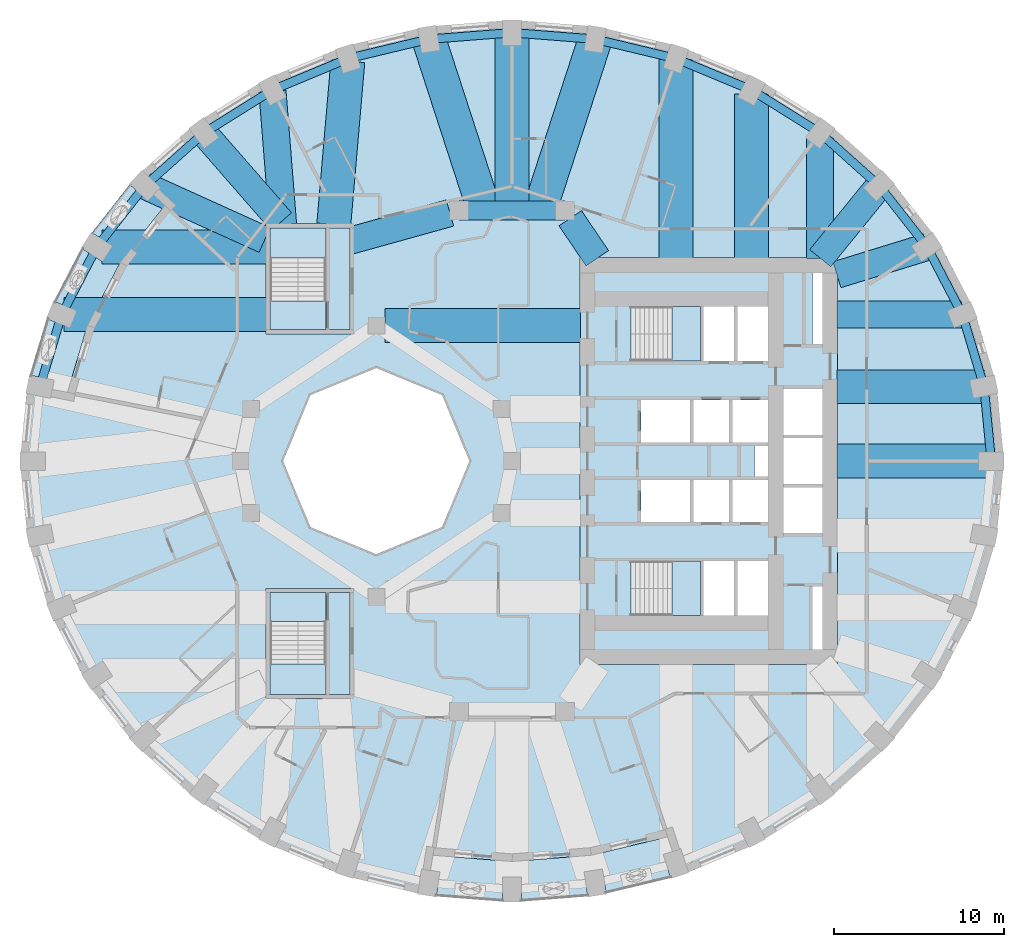
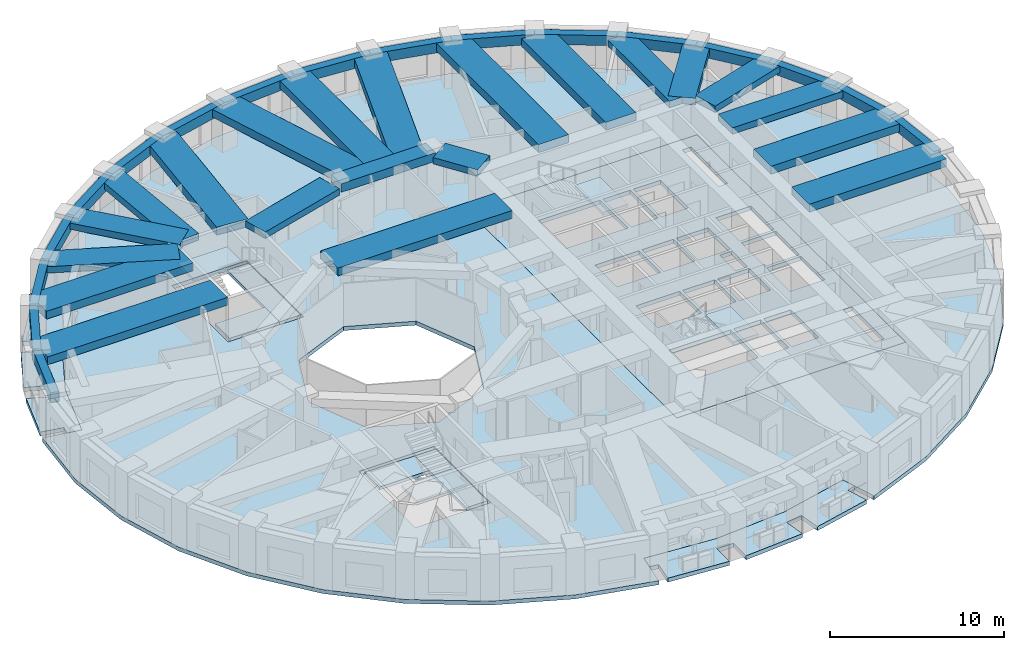
# One storey, part 2 of 13: 38 beams, 12 slabs, 4 elements without a shape of their own.
"""IFC4 building model written with IfcOpenShell, lengths in metres."""

from ifc_helpers import new_model, si_unit, direction, frame, origin, origin_2d, place, context, subcontext, project, spatial, polyline, rectangle, outline, extrude, material, layer, layer_set, material_profile, profile_set, type_object, element, aggregate, save


model = new_model("IFC4")

# Units and contexts
model_context = context("Model", 3, precision=1e-05, world=origin(), true_north=direction((0.0, 1.0)))
body_context = subcontext(model_context, "Body", "Model", "MODEL_VIEW")
ifc_project = project(units=[si_unit("LENGTHUNIT", "METRE"), si_unit("AREAUNIT", "SQUARE_METRE"), si_unit("VOLUMEUNIT", "CUBIC_METRE"), si_unit("PLANEANGLEUNIT", "RADIAN"), si_unit("MASSUNIT", "GRAM", prefix="KILO")], contexts=[model_context])

# Site, building, storey
site_placement = place(None, origin())
site = spatial("IfcSite", under=ifc_project, at=site_placement, CompositionType="ELEMENT")
building_placement = place(site_placement, origin())
building = spatial("IfcBuilding", under=site, at=building_placement, Name="Taillehof Tower", CompositionType="ELEMENT")
storey_placement = place(building_placement, frame((0.0, 0.0, 77.800048828125)))
storey = spatial("IfcBuildingStorey", under=building, at=storey_placement, Name="L21", CompositionType="ELEMENT", Elevation=77.800048828125)

# Beams
ifc_material_1 = material(Name="Concrete C50/60", Category="concrete")
ifc_material_profile_1 = material_profile(ifc_material_1, rectangle(XDim=1.10009765625, YDim=0.60009765625, at=origin_2d()), Name="RC 1100x600")
ifc_profile_set_1 = profile_set([ifc_material_profile_1], Name="Concrete C50/60")
beam_type_1 = type_object("IfcBeamType", Name="Mid-ring beam C50/60 1100x600", PredefinedType="BEAM", material=ifc_profile_set_1)
beam_1_placement = place(storey_placement, frame((3.125732421875, 14.772216796875, 2.719970703125), z_axis=(-1.0, 0.0, 0.0), x_axis=(0.0, -1.0, 0.0)))
element("IfcBeam", 1, at=beam_1_placement, inside=storey, type_object=beam_type_1, Name="Mid-ring beam MB01", PredefinedType="BEAM", context=body_context, shape_type="SweptSolid", body=[
    extrude(rectangle(XDim=1.10009765625, YDim=0.60009765625, at=origin_2d()), origin(), (0.0, 0.0, 1.0), 6.25146484375),
])
ifc_material_2 = material(Name="Concrete C50/60", Category="concrete")
ifc_material_profile_2 = material_profile(ifc_material_2, rectangle(XDim=1.60009765625, YDim=0.449951171875, at=origin_2d()), Name="RC 1600x450")
ifc_profile_set_2 = profile_set([ifc_material_profile_2], Name="Concrete C50/60")
beam_type_2 = type_object("IfcBeamType", Name="Radial band beam C50/60 1600x450", PredefinedType="BEAM", material=ifc_profile_set_2)
beam_2_placement = place(storey_placement, frame((26.490478515625, 8.635986328125, 2.794921875), z_axis=(-1.0, 0.0, 0.0), x_axis=(0.0, -1.0, 0.0)))
element("IfcBeam", 2, at=beam_2_placement, inside=storey, type_object=beam_type_2, Name="Radial band beam RB03", PredefinedType="BEAM", context=body_context, shape_type="SweptSolid", body=[
    extrude(rectangle(XDim=1.60009765625, YDim=0.449951171875, at=origin_2d()), origin(), (0.0, 0.0, 1.0), 7.340576171875),
])
beam_3_placement = place(storey_placement, frame((24.46533203125, 12.625, 2.794921875), z_axis=(-0.955535654338, -0.294875589511, 0.0), x_axis=(0.294875589511, -0.955535654338, 0.0)))
element("IfcBeam", 3, at=beam_3_placement, inside=storey, type_object=beam_type_2, Name="Radial band beam RB04", PredefinedType="BEAM", context=body_context, shape_type="SweptSolid", body=[
    extrude(rectangle(XDim=1.60009765625, YDim=0.449951171875, at=origin_2d()), origin(), (0.0, 0.0, 1.0), 5.560546875),
])
beam_4_placement = place(storey_placement, frame((21.640869140625, 16.23046875, 2.794921875), z_axis=(-0.630988373846, -0.775792286679, 0.0), x_axis=(0.775792286679, -0.630988373846, 0.0)))
element("IfcBeam", 4, at=beam_4_placement, inside=storey, type_object=beam_type_2, Name="Radial band beam RB05", PredefinedType="BEAM", context=body_context, shape_type="SweptSolid", body=[
    extrude(rectangle(XDim=1.60009765625, YDim=0.449951171875, at=origin_2d()), origin(), (0.0, 0.0, 1.0), 5.503173828125),
])
beam_5_placement = place(storey_placement, frame((18.15869140625, 19.05517578125, 2.794921875), z_axis=(0.0, -1.0, 0.0), x_axis=(1.0, 0.0, 0.0)))
element("IfcBeam", 5, at=beam_5_placement, inside=storey, type_object=beam_type_2, Name="Radial band beam RB06", PredefinedType="BEAM", context=body_context, shape_type="SweptSolid", body=[
    extrude(rectangle(XDim=1.60009765625, YDim=0.449951171875, at=origin_2d()), origin(), (0.0, 0.0, 1.0), 7.105224609375),
])
beam_6_placement = place(storey_placement, frame((-14.119873046875, 21.802978515625, 2.794921875), z_axis=(0.079184740988, -0.996859958467, 0.0), x_axis=(0.996859958467, 0.079184740988, 0.0)))
element("IfcBeam", 6, at=beam_6_placement, inside=storey, type_object=beam_type_2, Name="Radial band beam RB13", PredefinedType="BEAM", context=body_context, shape_type="SweptSolid", body=[
    extrude(rectangle(XDim=1.60009765625, YDim=0.449951171875, at=origin_2d()), origin(), (0.0, 0.0, 1.0), 7.87744140625),
])
beam_7_placement = place(storey_placement, frame((-18.15869140625, 19.342529296875, 2.794921875), z_axis=(0.65721824087, -0.753700327628, 0.0), x_axis=(0.753700327628, 0.65721824087, 0.0)))
element("IfcBeam", 7, at=beam_7_placement, inside=storey, type_object=beam_type_2, Name="Radial band beam RB14", PredefinedType="BEAM", context=body_context, shape_type="SweptSolid", body=[
    extrude(rectangle(XDim=1.60009765625, YDim=0.449951171875, at=origin_2d()), origin(), (0.0, 0.0, 1.0), 6.9384765625),
])
beam_8_placement = place(storey_placement, frame((-21.632568359375, 16.226806640625, 2.794921875), z_axis=(0.911100590789, -0.412184077161, 0.0), x_axis=(0.412184077161, 0.911100590789, 0.0)))
element("IfcBeam", 8, at=beam_8_placement, inside=storey, type_object=beam_type_2, Name="Radial band beam RB15", PredefinedType="BEAM", context=body_context, shape_type="SweptSolid", body=[
    extrude(rectangle(XDim=1.60009765625, YDim=0.449951171875, at=origin_2d()), origin(), (0.0, 0.0, 1.0), 7.740966796875),
])
beam_9_placement = place(storey_placement, frame((3.433837890625, 14.31640625, 2.794921875), z_axis=(0.560112043398, -0.828416862962, 0.0), x_axis=(0.828416862962, 0.560112043398, 0.0)))
element("IfcBeam", 9, at=beam_9_placement, inside=storey, type_object=beam_type_2, Name="Inner band beam IB205", PredefinedType="BEAM", context=body_context, shape_type="SweptSolid", body=[
    extrude(rectangle(XDim=1.60009765625, YDim=0.449951171875, at=origin_2d()), origin(), (0.0, 0.0, 1.0), 2.84619140625),
])
beam_10_placement = place(storey_placement, frame((-3.655517578125, 14.624755859375, 2.794921875), z_axis=(-0.963459369536, -0.267854518821, 0.0), x_axis=(0.267854518821, -0.963459369536, 0.0)))
element("IfcBeam", 10, at=beam_10_placement, inside=storey, type_object=beam_type_2, Name="Inner band beam IB206", PredefinedType="BEAM", context=body_context, shape_type="SweptSolid", body=[
    extrude(rectangle(XDim=1.60009765625, YDim=0.449951171875, at=origin_2d()), origin(), (0.0, 0.0, 1.0), 6.096923828125),
])
ifc_material_3 = material(Name="Concrete C50/60", Category="concrete")
ifc_material_profile_3 = material_profile(ifc_material_3, rectangle(XDim=2.0, YDim=0.550048828125, at=origin_2d()), Name="RC 2000x550")
ifc_profile_set_3 = profile_set([ifc_material_profile_3], Name="Concrete C50/60")
beam_type_3 = type_object("IfcBeamType", Name="Radial band beam C50/60 2000x550", PredefinedType="BEAM", material=ifc_profile_set_3)
beam_11_placement = place(storey_placement, frame((28.25, 0.0, 2.744873046875), z_axis=(-1.0, 0.0, 0.0), x_axis=(0.0, -1.0, 0.0)))
element("IfcBeam", 11, at=beam_11_placement, inside=storey, type_object=beam_type_3, Name="Radial band beam RB01", PredefinedType="BEAM", context=body_context, shape_type="SweptSolid", body=[
    extrude(rectangle(XDim=2.0, YDim=0.550048828125, at=origin_2d()), origin(), (0.0, 0.0, 1.0), 9.10009765625),
])
beam_12_placement = place(storey_placement, frame((27.82080078125, 4.384521484375, 2.744873046875), z_axis=(-1.0, 0.0, 0.0), x_axis=(0.0, -1.0, 0.0)))
element("IfcBeam", 12, at=beam_12_placement, inside=storey, type_object=beam_type_3, Name="Radial band beam RB02", PredefinedType="BEAM", context=body_context, shape_type="SweptSolid", body=[
    extrude(rectangle(XDim=2.0, YDim=0.550048828125, at=origin_2d()), origin(), (0.0, 0.0, 1.0), 8.6708984375),
])
beam_13_placement = place(storey_placement, frame((14.125, 21.63232421875, 2.744873046875), z_axis=(0.0, -1.0, 0.0), x_axis=(1.0, 0.0, 0.0)))
element("IfcBeam", 13, at=beam_13_placement, inside=storey, type_object=beam_type_3, Name="Radial band beam RB07", PredefinedType="BEAM", context=body_context, shape_type="SweptSolid", body=[
    extrude(rectangle(XDim=2.0, YDim=0.550048828125, at=origin_2d()), origin(), (0.0, 0.0, 1.0), 9.682373046875),
])
beam_14_placement = place(storey_placement, frame((9.662109375, 23.664794921875, 2.744873046875), z_axis=(0.0, -1.0, 0.0), x_axis=(1.0, 0.0, 0.0)))
element("IfcBeam", 14, at=beam_14_placement, inside=storey, type_object=beam_type_3, Name="Radial band beam RB08", PredefinedType="BEAM", context=body_context, shape_type="SweptSolid", body=[
    extrude(rectangle(XDim=2.0, YDim=0.550048828125, at=origin_2d()), origin(), (0.0, 0.0, 1.0), 11.71484375),
])
beam_15_placement = place(storey_placement, frame((4.905517578125, 24.866455078125, 2.744873046875), z_axis=(-0.309014294595, -0.951057393503, 0.0), x_axis=(0.951057393503, -0.309014294595, 0.0)))
element("IfcBeam", 15, at=beam_15_placement, inside=storey, type_object=beam_type_3, Name="Radial band beam RB09", PredefinedType="BEAM", context=body_context, shape_type="SweptSolid", body=[
    extrude(rectangle(XDim=2.0, YDim=0.550048828125, at=origin_2d()), origin(), (0.0, 0.0, 1.0), 10.61376953125),
])
beam_16_placement = place(storey_placement, frame((0.0, 25.25, 2.744873046875), z_axis=(0.0, -1.0, 0.0), x_axis=(1.0, 0.0, 0.0)))
element("IfcBeam", 16, at=beam_16_placement, inside=storey, type_object=beam_type_3, Name="Radial band beam RB10", PredefinedType="BEAM", context=body_context, shape_type="SweptSolid", body=[
    extrude(rectangle(XDim=2.0, YDim=0.550048828125, at=origin_2d()), origin(), (0.0, 0.0, 1.0), 10.477783203125),
])
beam_17_placement = place(storey_placement, frame((-4.905517578125, 24.866455078125, 2.744873046875), z_axis=(0.309014294595, -0.951057393503, 0.0), x_axis=(0.951057393503, 0.309014294595, 0.0)))
element("IfcBeam", 17, at=beam_17_placement, inside=storey, type_object=beam_type_3, Name="Radial band beam RB11", PredefinedType="BEAM", context=body_context, shape_type="SweptSolid", body=[
    extrude(rectangle(XDim=2.0, YDim=0.550048828125, at=origin_2d()), origin(), (0.0, 0.0, 1.0), 10.61376953125),
])
beam_18_placement = place(storey_placement, frame((-9.675048828125, 23.575927734375, 2.744873046875), z_axis=(-0.085841202752, -0.996308831593, 0.0), x_axis=(0.996308831593, -0.085841202752, 0.0)))
element("IfcBeam", 18, at=beam_18_placement, inside=storey, type_object=beam_type_3, Name="Radial band beam RB12", PredefinedType="BEAM", context=body_context, shape_type="SweptSolid", body=[
    extrude(rectangle(XDim=2.0, YDim=0.550048828125, at=origin_2d()), origin(), (0.0, 0.0, 1.0), 9.661376953125),
])
beam_19_placement = place(storey_placement, frame((-24.172607421875, 12.625, 2.744873046875), z_axis=(1.0, 0.0, 0.0), x_axis=(0.0, 1.0, 0.0)))
element("IfcBeam", 19, at=beam_19_placement, inside=storey, type_object=beam_type_3, Name="Radial band beam RB16", PredefinedType="BEAM", context=body_context, shape_type="SweptSolid", body=[
    extrude(rectangle(XDim=2.0, YDim=0.550048828125, at=origin_2d()), origin(), (0.0, 0.0, 1.0), 9.72265625),
])
beam_20_placement = place(storey_placement, frame((-26.408935546875, 8.635986328125, 2.744873046875), z_axis=(1.0, 0.0, 0.0), x_axis=(0.0, 1.0, 0.0)))
element("IfcBeam", 20, at=beam_20_placement, inside=storey, type_object=beam_type_3, Name="Radial band beam RB17", PredefinedType="BEAM", context=body_context, shape_type="SweptSolid", body=[
    extrude(rectangle(XDim=2.0, YDim=0.550048828125, at=origin_2d()), origin(), (0.0, 0.0, 1.0), 11.958984375),
])
beam_21_placement = place(storey_placement, frame((-7.5, 8.0, 2.744873046875), z_axis=(1.0, 0.0, 0.0), x_axis=(0.0, 1.0, 0.0)))
element("IfcBeam", 21, at=beam_21_placement, inside=storey, type_object=beam_type_3, Name="Inner band beam IB105", PredefinedType="BEAM", context=body_context, shape_type="SweptSolid", body=[
    extrude(rectangle(XDim=2.0, YDim=0.550048828125, at=origin_2d()), origin(), (0.0, 0.0, 1.0), 11.550048828125),
])
ifc_material_4 = material(Name="Concrete C50/60", Category="concrete")
ifc_material_profile_4 = material_profile(ifc_material_4, rectangle(XDim=0.5, YDim=0.699951171875, at=origin_2d()), Name="RC 500x700")
ifc_profile_set_4 = profile_set([ifc_material_profile_4], Name="Concrete C50/60")
beam_type_4 = type_object("IfcBeamType", Name="Spandrel beam C50/60 500x700", PredefinedType="SPANDREL", material=ifc_profile_set_4)
beam_22_placement = place(storey_placement, frame((28.25, 0.0, 2.669921875), z_axis=(-0.097423973567, 0.99524297002, 0.0), x_axis=(-0.99524297002, -0.097423973567, 0.0)))
element("IfcBeam", 22, at=beam_22_placement, inside=storey, type_object=beam_type_4, Name="Spandrel beam SB01", PredefinedType="SPANDREL", context=body_context, shape_type="SweptSolid", body=[
    extrude(rectangle(XDim=0.5, YDim=0.699951171875, at=origin_2d()), origin(), (0.0, 0.0, 1.0), 4.405517578125),
])
beam_23_placement = place(storey_placement, frame((27.82080078125, 4.384521484375, 2.669921875), z_axis=(-0.287135925407, 0.957889847707, 0.0), x_axis=(-0.957889847707, -0.287135925407, 0.0)))
element("IfcBeam", 23, at=beam_23_placement, inside=storey, type_object=beam_type_4, Name="Spandrel beam SB02", PredefinedType="SPANDREL", context=body_context, shape_type="SweptSolid", body=[
    extrude(rectangle(XDim=0.5, YDim=0.699951171875, at=origin_2d()), origin(), (0.0, 0.0, 1.0), 4.4384765625),
])
beam_24_placement = place(storey_placement, frame((26.54638671875, 8.635986328125, 2.669921875), z_axis=(-0.462536335232, 0.886600326297, 0.0), x_axis=(-0.886600326297, -0.462536335232, 0.0)))
element("IfcBeam", 24, at=beam_24_placement, inside=storey, type_object=beam_type_4, Name="Spandrel beam SB03", PredefinedType="SPANDREL", context=body_context, shape_type="SweptSolid", body=[
    extrude(rectangle(XDim=0.5, YDim=0.699951171875, at=origin_2d()), origin(), (0.0, 0.0, 1.0), 4.499267578125),
])
beam_25_placement = place(storey_placement, frame((24.46533203125, 12.625, 2.669921875), z_axis=(-0.616686200373, 0.787209076593, 0.0), x_axis=(-0.787209076593, -0.616686200373, 0.0)))
element("IfcBeam", 25, at=beam_25_placement, inside=storey, type_object=beam_type_4, Name="Spandrel beam SB04", PredefinedType="SPANDREL", context=body_context, shape_type="SweptSolid", body=[
    extrude(rectangle(XDim=0.5, YDim=0.699951171875, at=origin_2d()), origin(), (0.0, 0.0, 1.0), 4.580078125),
])
beam_26_placement = place(storey_placement, frame((21.640869140625, 16.23046875, 2.669921875), z_axis=(-0.745621283614, 0.666369943366, 0.0), x_axis=(-0.666369943366, -0.745621283614, 0.0)))
element("IfcBeam", 26, at=beam_26_placement, inside=storey, type_object=beam_type_4, Name="Spandrel beam SB05", PredefinedType="SPANDREL", context=body_context, shape_type="SweptSolid", body=[
    extrude(rectangle(XDim=0.5, YDim=0.699951171875, at=origin_2d()), origin(), (0.0, 0.0, 1.0), 4.670166015625),
])
beam_27_placement = place(storey_placement, frame((18.15869140625, 19.342529296875, 2.669921875), z_axis=(-0.847658018883, 0.530543007703, 0.0), x_axis=(-0.530543007703, -0.847658018883, 0.0)))
element("IfcBeam", 27, at=beam_27_placement, inside=storey, type_object=beam_type_4, Name="Spandrel beam SB06", PredefinedType="SPANDREL", context=body_context, shape_type="SweptSolid", body=[
    extrude(rectangle(XDim=0.5, YDim=0.699951171875, at=origin_2d()), origin(), (0.0, 0.0, 1.0), 4.758544921875),
])
beam_28_placement = place(storey_placement, frame((14.125, 21.8671875, 2.669921875), z_axis=(-0.923035088053, 0.384715773297, 0.0), x_axis=(-0.384715773297, -0.923035088053, 0.0)))
element("IfcBeam", 28, at=beam_28_placement, inside=storey, type_object=beam_type_4, Name="Spandrel beam SB07", PredefinedType="SPANDREL", context=body_context, shape_type="SweptSolid", body=[
    extrude(rectangle(XDim=0.5, YDim=0.699951171875, at=origin_2d()), origin(), (0.0, 0.0, 1.0), 4.8349609375),
])
beam_29_placement = place(storey_placement, frame((9.662109375, 23.727294921875, 2.669921875), z_axis=(-0.9724995553, 0.232904733616, 0.0), x_axis=(-0.232904733616, -0.9724995553, 0.0)))
element("IfcBeam", 29, at=beam_29_placement, inside=storey, type_object=beam_type_4, Name="Spandrel beam SB08", PredefinedType="SPANDREL", context=body_context, shape_type="SweptSolid", body=[
    extrude(rectangle(XDim=0.5, YDim=0.699951171875, at=origin_2d()), origin(), (0.0, 0.0, 1.0), 4.89111328125),
])
for number, where, z_axis, x_axis, name in (
    (30, (4.905517578125, 24.866455078125, 2.669921875), (-0.996957383661, 0.077948541767, 0.0), (-0.077948541767, -0.996957383661, 0.0), "Spandrel beam SB09"),
    (31, (0.0, 25.25, 2.669921875), (-0.996957383661, -0.077948541767, 0.0), (0.077948541767, -0.996957383661, 0.0), "Spandrel beam SB10"),
):
    element("IfcBeam", number, at=place(storey_placement, frame(where, z_axis=z_axis, x_axis=x_axis)), inside=storey, type_object=beam_type_4, Name=name, PredefinedType="SPANDREL", context=body_context, shape_type="SweptSolid", body=[
        extrude(rectangle(XDim=0.5, YDim=0.699951171875, at=origin_2d()), origin(), (0.0, 0.0, 1.0), 4.92041015625),
    ])
beam_30_placement = place(storey_placement, frame((-4.905517578125, 24.866455078125, 2.669921875), z_axis=(-0.9724995553, -0.232904733616, 0.0), x_axis=(0.232904733616, -0.9724995553, 0.0)))
element("IfcBeam", 32, at=beam_30_placement, inside=storey, type_object=beam_type_4, Name="Spandrel beam SB11", PredefinedType="SPANDREL", context=body_context, shape_type="SweptSolid", body=[
    extrude(rectangle(XDim=0.5, YDim=0.699951171875, at=origin_2d()), origin(), (0.0, 0.0, 1.0), 4.89111328125),
])
beam_31_placement = place(storey_placement, frame((-9.662109375, 23.727294921875, 2.669921875), z_axis=(-0.923035088053, -0.384715773297, 0.0), x_axis=(0.384715773297, -0.923035088053, 0.0)))
element("IfcBeam", 33, at=beam_31_placement, inside=storey, type_object=beam_type_4, Name="Spandrel beam SB12", PredefinedType="SPANDREL", context=body_context, shape_type="SweptSolid", body=[
    extrude(rectangle(XDim=0.5, YDim=0.699951171875, at=origin_2d()), origin(), (0.0, 0.0, 1.0), 4.8349609375),
])
beam_32_placement = place(storey_placement, frame((-14.125, 21.8671875, 2.669921875), z_axis=(-0.847658018883, -0.530543007703, 0.0), x_axis=(0.530543007703, -0.847658018883, 0.0)))
element("IfcBeam", 34, at=beam_32_placement, inside=storey, type_object=beam_type_4, Name="Spandrel beam SB13", PredefinedType="SPANDREL", context=body_context, shape_type="SweptSolid", body=[
    extrude(rectangle(XDim=0.5, YDim=0.699951171875, at=origin_2d()), origin(), (0.0, 0.0, 1.0), 4.758544921875),
])
beam_33_placement = place(storey_placement, frame((-18.15869140625, 19.342529296875, 2.669921875), z_axis=(-0.745621283614, -0.666369943366, 0.0), x_axis=(0.666369943366, -0.745621283614, 0.0)))
element("IfcBeam", 35, at=beam_33_placement, inside=storey, type_object=beam_type_4, Name="Spandrel beam SB14", PredefinedType="SPANDREL", context=body_context, shape_type="SweptSolid", body=[
    extrude(rectangle(XDim=0.5, YDim=0.699951171875, at=origin_2d()), origin(), (0.0, 0.0, 1.0), 4.670166015625),
])
beam_34_placement = place(storey_placement, frame((-21.640869140625, 16.23046875, 2.669921875), z_axis=(-0.616686200373, -0.787209076593, 0.0), x_axis=(0.787209076593, -0.616686200373, 0.0)))
element("IfcBeam", 36, at=beam_34_placement, inside=storey, type_object=beam_type_4, Name="Spandrel beam SB15", PredefinedType="SPANDREL", context=body_context, shape_type="SweptSolid", body=[
    extrude(rectangle(XDim=0.5, YDim=0.699951171875, at=origin_2d()), origin(), (0.0, 0.0, 1.0), 4.580078125),
])
beam_35_placement = place(storey_placement, frame((-24.46533203125, 12.625, 2.669921875), z_axis=(-0.462536335232, -0.886600326297, 0.0), x_axis=(0.886600326297, -0.462536335232, 0.0)))
element("IfcBeam", 37, at=beam_35_placement, inside=storey, type_object=beam_type_4, Name="Spandrel beam SB16", PredefinedType="SPANDREL", context=body_context, shape_type="SweptSolid", body=[
    extrude(rectangle(XDim=0.5, YDim=0.699951171875, at=origin_2d()), origin(), (0.0, 0.0, 1.0), 4.499267578125),
])
beam_36_placement = place(storey_placement, frame((-26.54638671875, 8.635986328125, 2.669921875), z_axis=(-0.287135925407, -0.957889847707, 0.0), x_axis=(0.957889847707, -0.287135925407, 0.0)))
element("IfcBeam", 38, at=beam_36_placement, inside=storey, type_object=beam_type_4, Name="Spandrel beam SB17", PredefinedType="SPANDREL", context=body_context, shape_type="SweptSolid", body=[
    extrude(rectangle(XDim=0.5, YDim=0.699951171875, at=origin_2d()), origin(), (0.0, 0.0, 1.0), 4.4384765625),
])

# Slabs
ifc_material_5 = material(Name="Concrete C40/50", Category="concrete")
ifc_layer_1 = layer(ifc_material_5, 0.280029296875)
ifc_layer_set_1 = layer_set([ifc_layer_1], Name="Balcony slab 280")
slab_type_1 = type_object("IfcSlabType", Name="Balcony slab 280", PredefinedType="USERDEFINED", material=ifc_layer_set_1)
slab_1_placement = place(storey_placement, frame((0.0, 0.0, -0.280029296875)))
element("IfcSlab", 39, at=slab_1_placement, inside=storey, type_object=slab_type_1, Name="Balcony L21 pocket 8", ObjectType="BALCONY", PredefinedType="USERDEFINED", context=body_context, shape_type="SweptSolid", body=[
    extrude(outline(polyline([(9.174072265625, -22.150390625), (9.453369140625, -23.00634765625), (8.906494140625, -23.184814453125), (9.357421875, -24.56689453125), (5.559326171875, -25.479248046875), (5.331787109375, -24.039794921875), (4.2451171875, -24.21142578125), (4.472412109375, -25.649169921875), (0.550048828125, -25.956787109375), (0.550048828125, -24.5), (-0.550048828125, -24.5), (-0.550048828125, -25.956787109375), (-4.472412109375, -25.649169921875), (-4.2451171875, -24.21142578125), (-4.801513671875, -24.12353515625), (-4.6611328125, -23.234375), (0.0, -23.60009765625), (4.6611328125, -23.234375), (9.174072265625, -22.150390625)])), origin(), (0.0, 0.0, 1.0), 0.280029296875),
])
slab_2_placement = place(storey_placement, frame((0.0, 0.0, -0.280029296875)))
element("IfcSlab", 40, at=slab_2_placement, inside=storey, type_object=slab_type_1, Name="Balcony L21 pocket 4", ObjectType="BALCONY", PredefinedType="USERDEFINED", context=body_context, shape_type="SweptSolid", body=[
    extrude(outline(polyline([(-26.20458984375, 4.0517578125), (-27.087646484375, 4.225341796875), (-26.978759765625, 4.779541015625), (-28.39697265625, 5.058349609375), (-27.4013671875, 8.3896484375), (-26.058349609375, 7.84423828125), (-25.64453125, 8.863525390625), (-26.9833984375, 9.406982421875), (-25.352783203125, 12.54248046875), (-24.13232421875, 11.756591796875), (-23.536865234375, 12.681396484375), (-24.752197265625, 13.464111328125), (-22.530029296875, 16.309326171875), (-21.468994140625, 15.31640625), (-21.120849609375, 15.688232421875), (-20.463134765625, 15.072509765625), (-23.096923828125, 11.70068359375), (-25.02734375, 7.98974609375), (-26.20458984375, 4.0517578125)])), origin(), (0.0, 0.0, 1.0), 0.280029296875),
])
ifc_material_6 = material(Name="Concrete C40/50", Category="concrete")
ifc_layer_2 = layer(ifc_material_6, 0.280029296875)
ifc_layer_set_2 = layer_set([ifc_layer_2], Name="Core floor slab C40/50 280")
slab_type_2 = type_object("IfcSlabType", Name="Core floor slab C40/50 280", PredefinedType="FLOOR", material=ifc_layer_set_2)
slab_3_placement = place(storey_placement, frame((0.0, 0.0, -0.280029296875)))
element("IfcSlab", 41, at=slab_3_placement, inside=storey, type_object=slab_type_2, Name="Core floor L21", PredefinedType="FLOOR", context=body_context, shape_type="SweptSolid", body=[
    extrude(outline(polyline([(4.0, -12.0), (4.0, 12.0), (19.199951171875, 12.0), (19.199951171875, -12.0), (4.0, -12.0)]), holes=[polyline([(7.00048828125, -9.10009765625), (11.10009765625, -9.10009765625), (11.10009765625, -5.89990234375), (7.00048828125, -5.89990234375), (7.00048828125, -9.10009765625)]), polyline([(13.10009765625, -9.10009765625), (13.10009765625, -5.89990234375), (11.300048828125, -5.89990234375), (11.300048828125, -9.10009765625), (13.10009765625, -9.10009765625)]), polyline([(10.5, -3.60009765625), (10.5, -1.10009765625), (7.60009765625, -1.10009765625), (7.60009765625, -3.60009765625), (10.5, -3.60009765625)]), polyline([(12.800048828125, -3.60009765625), (12.800048828125, -1.10009765625), (10.699951171875, -1.10009765625), (10.699951171875, -3.60009765625), (12.800048828125, -3.60009765625)]), polyline([(10.5, 1.10009765625), (10.5, 3.60009765625), (7.60009765625, 3.60009765625), (7.60009765625, 1.10009765625), (10.5, 1.10009765625)]), polyline([(12.800048828125, 1.10009765625), (12.800048828125, 3.60009765625), (10.699951171875, 3.60009765625), (10.699951171875, 1.10009765625), (12.800048828125, 1.10009765625)]), polyline([(15.10009765625, 1.10009765625), (15.10009765625, 3.60009765625), (13.0, 3.60009765625), (13.0, 1.10009765625), (15.10009765625, 1.10009765625)]), polyline([(11.300048828125, 5.89990234375), (13.10009765625, 5.89990234375), (13.10009765625, 9.10009765625), (11.300048828125, 9.10009765625), (11.300048828125, 5.89990234375)]), polyline([(7.00048828125, 5.89990234375), (11.10009765625, 5.89990234375), (11.10009765625, 9.10009765625), (7.00048828125, 9.10009765625), (7.00048828125, 5.89990234375)]), polyline([(18.300048828125, -11.10009765625), (18.300048828125, -7.39990234375), (17.699951171875, -7.39990234375), (17.699951171875, -11.10009765625), (18.300048828125, -11.10009765625)]), polyline([(15.10009765625, -9.10009765625), (15.10009765625, -5.89990234375), (13.300048828125, -5.89990234375), (13.300048828125, -9.10009765625), (15.10009765625, -9.10009765625)]), polyline([(18.300048828125, -4.25), (18.300048828125, -1.550048828125), (16.0, -1.550048828125), (16.0, -4.25), (18.300048828125, -4.25)]), polyline([(15.10009765625, -3.60009765625), (15.10009765625, -1.10009765625), (13.0, -1.10009765625), (13.0, -3.60009765625), (15.10009765625, -3.60009765625)]), polyline([(15.10009765625, -0.89990234375), (15.10009765625, 0.89990234375), (14.300048828125, 0.89990234375), (14.300048828125, -0.89990234375), (15.10009765625, -0.89990234375)]), polyline([(18.300048828125, -1.35009765625), (18.300048828125, 1.35009765625), (16.0, 1.35009765625), (16.0, -1.35009765625), (18.300048828125, -1.35009765625)]), polyline([(18.300048828125, 1.550048828125), (18.300048828125, 4.25), (16.0, 4.25), (16.0, 1.550048828125), (18.300048828125, 1.550048828125)]), polyline([(13.300048828125, 5.89990234375), (15.10009765625, 5.89990234375), (15.10009765625, 9.10009765625), (13.300048828125, 9.10009765625), (13.300048828125, 5.89990234375)]), polyline([(17.699951171875, 6.89990234375), (18.300048828125, 6.89990234375), (18.300048828125, 11.10009765625), (17.699951171875, 11.10009765625), (17.699951171875, 6.89990234375)])]), origin(), (0.0, 0.0, 1.0), 0.280029296875),
])
ifc_material_7 = material(Name="Concrete C40/50", Category="concrete")
ifc_layer_3 = layer(ifc_material_7, 0.280029296875)
ifc_layer_set_3 = layer_set([ifc_layer_3], Name="Floor slab 280")
slab_type_3 = type_object("IfcSlabType", Name="Floor slab 280", PredefinedType="FLOOR", material=ifc_layer_set_3)
slab_4_placement = place(storey_placement, frame((0.0, 0.0, -0.280029296875)))
element("IfcSlab", 42, at=slab_4_placement, inside=storey, type_object=slab_type_3, Name="Floor slab L21", PredefinedType="FLOOR", context=body_context, shape_type="SweptSolid", body=[
    extrude(outline(polyline([(29.0, 0.0), (28.559326171875, 4.514892578125), (27.251220703125, 8.892578125), (25.11474609375, 13.0), (22.21533203125, 16.71240234375), (18.640869140625, 19.917236328125), (14.5, 22.5166015625), (9.918701171875, 24.431884765625), (5.035888671875, 25.60498046875), (0.0, 26.0), (-5.035888671875, 25.60498046875), (-9.918701171875, 24.431884765625), (-14.5, 22.5166015625), (-18.640869140625, 19.917236328125), (-22.21533203125, 16.71240234375), (-20.462890625, 15.072509765625), (-23.096923828125, 11.70068359375), (-25.02734375, 7.98974609375), (-26.20458984375, 4.0517578125), (-28.559326171875, 4.514892578125), (-29.0, 0.0), (-28.559326171875, -4.514892578125), (-27.251220703125, -8.892578125), (-25.11474609375, -13.0), (-22.21533203125, -16.71240234375), (-18.640869140625, -19.917236328125), (-14.5, -22.5166015625), (-9.918701171875, -24.431884765625), (-5.035888671875, -25.60498046875), (-4.660888671875, -23.234375), (0.0, -23.60009765625), (4.660888671875, -23.234375), (9.174072265625, -22.150390625), (9.918701171875, -24.431884765625), (14.5, -22.5166015625), (18.640869140625, -19.917236328125), (22.21533203125, -16.71240234375), (25.11474609375, -13.0), (27.251220703125, -8.892578125), (28.559326171875, -4.514892578125), (29.0, 0.0)]), holes=[polyline([(-14.5, -7.5), (-9.5, -7.5), (-9.5, -14.0), (-14.5, -14.0), (-14.5, -7.5)]), polyline([(-8.0, -5.5), (-11.88916015625, -3.88916015625), (-13.5, 0.0), (-11.88916015625, 3.88916015625), (-8.0, 5.5), (-4.11083984375, 3.88916015625), (-2.5, 0.0), (-4.11083984375, -3.88916015625), (-8.0, -5.5)]), polyline([(19.199951171875, 12.0), (19.199951171875, -12.0), (4.0, -12.0), (4.0, 12.0), (19.199951171875, 12.0)]), polyline([(-14.5, 14.0), (-9.5, 14.0), (-9.5, 7.5), (-14.5, 7.5), (-14.5, 14.0)])]), origin(), (0.0, 0.0, 1.0), 0.280029296875),
])

# Stair, slab
ifc_material_8 = material(Name="Concrete C40/50", Category="concrete")
stair_type = type_object("IfcStairType", Name="Exit stair half-turn", PredefinedType="HALF_TURN_STAIR", material=ifc_material_8)
stair_1_placement = place(storey_placement, origin())
stair_1 = element("IfcStair", 43, at=stair_1_placement, inside=storey, type_object=stair_type, Name="Exit stair S1", PredefinedType="HALF_TURN_STAIR")
ifc_material_9 = material(Name="Concrete C40/50", Category="concrete")
ifc_layer_4 = layer(ifc_material_9, 0.2099609375)
ifc_layer_set_4 = layer_set([ifc_layer_4], Name="Stair landing C40/50 210")
slab_type_4 = type_object("IfcSlabType", Name="Stair landing C40/50 210", PredefinedType="LANDING", material=ifc_layer_set_4)
slab_5_placement = place(storey_placement, frame((0.0, 0.0, 1.43994140625)))
slab_5 = element("IfcSlab", 44, at=slab_5_placement, type_object=slab_type_4, Name="S1 landing 1", PredefinedType="LANDING", context=body_context, shape_type="SweptSolid", body=[
    extrude(outline(polyline([(9.429931640625, 5.89990234375), (11.10009765625, 5.89990234375), (11.10009765625, 9.10009765625), (9.429931640625, 9.10009765625), (9.429931640625, 5.89990234375)])), origin(), (0.0, 0.0, 1.0), 0.2099609375),
])
aggregate(stair_1, [slab_5])

stair_2_placement = place(storey_placement, origin())
stair_2 = element("IfcStair", 45, at=stair_2_placement, inside=storey, type_object=stair_type, Name="Exit stair S2", PredefinedType="HALF_TURN_STAIR")
slab_6_placement = place(storey_placement, frame((0.0, 0.0, 1.43994140625)))
slab_6 = element("IfcSlab", 46, at=slab_6_placement, type_object=slab_type_4, Name="S2 landing 1", PredefinedType="LANDING", context=body_context, shape_type="SweptSolid", body=[
    extrude(outline(polyline([(9.429931640625, -5.89990234375), (11.10009765625, -5.89990234375), (11.10009765625, -9.10009765625), (9.429931640625, -9.10009765625), (9.429931640625, -5.89990234375)])), origin(), (0.0, 0.0, 1.0), 0.2099609375),
])
aggregate(stair_2, [slab_6])

stair_3_placement = place(storey_placement, origin())
stair_3 = element("IfcStair", 47, at=stair_3_placement, inside=storey, type_object=stair_type, Name="Exit stair S3", PredefinedType="HALF_TURN_STAIR")
slab_7_placement = place(storey_placement, frame((0.0, 0.0, 1.43994140625)))
slab_7 = element("IfcSlab", 48, at=slab_7_placement, type_object=slab_type_4, Name="S3 landing 1", PredefinedType="LANDING", context=body_context, shape_type="SweptSolid", body=[
    extrude(outline(polyline([(-14.25, 11.969970703125), (-14.25, 13.75), (-10.949951171875, 13.75), (-10.949951171875, 11.969970703125), (-14.25, 11.969970703125)])), origin(), (0.0, 0.0, 1.0), 0.2099609375),
])
aggregate(stair_3, [slab_7])

stair_4_placement = place(storey_placement, origin())
stair_4 = element("IfcStair", 49, at=stair_4_placement, inside=storey, type_object=stair_type, Name="Exit stair S4", PredefinedType="HALF_TURN_STAIR")
slab_8_placement = place(storey_placement, frame((0.0, 0.0, 1.43994140625)))
slab_8 = element("IfcSlab", 50, at=slab_8_placement, type_object=slab_type_4, Name="S4 landing 1", PredefinedType="LANDING", context=body_context, shape_type="SweptSolid", body=[
    extrude(outline(polyline([(-14.25, -11.969970703125), (-14.25, -13.75), (-10.949951171875, -13.75), (-10.949951171875, -11.969970703125), (-14.25, -11.969970703125)])), origin(), (0.0, 0.0, 1.0), 0.2099609375),
])
aggregate(stair_4, [slab_8])

# Slabs
slab_9_placement = place(storey_placement, frame((0.0, 0.0, -0.2099609375)))
element("IfcSlab", 51, at=slab_9_placement, inside=storey, type_object=slab_type_4, Name="Stair S3 floor landing", PredefinedType="LANDING", context=body_context, shape_type="SweptSolid", body=[
    extrude(outline(polyline([(-14.25, 7.75), (-14.25, 9.449951171875), (-10.949951171875, 9.449951171875), (-10.949951171875, 7.75), (-14.25, 7.75)])), origin(), (0.0, 0.0, 1.0), 0.2099609375),
])
slab_10_placement = place(storey_placement, frame((0.0, 0.0, -0.2099609375)))
element("IfcSlab", 52, at=slab_10_placement, inside=storey, type_object=slab_type_4, Name="Stair lobby S3 floor", PredefinedType="LANDING", context=body_context, shape_type="SweptSolid", body=[
    extrude(outline(polyline([(-10.949951171875, 7.75), (-9.550048828125, 7.75), (-9.550048828125, 13.75), (-10.949951171875, 13.75), (-10.949951171875, 7.75)])), origin(), (0.0, 0.0, 1.0), 0.2099609375),
])
slab_11_placement = place(storey_placement, frame((0.0, 0.0, -0.2099609375)))
element("IfcSlab", 53, at=slab_11_placement, inside=storey, type_object=slab_type_4, Name="Stair S4 floor landing", PredefinedType="LANDING", context=body_context, shape_type="SweptSolid", body=[
    extrude(outline(polyline([(-14.25, -7.75), (-14.25, -9.449951171875), (-10.949951171875, -9.449951171875), (-10.949951171875, -7.75), (-14.25, -7.75)])), origin(), (0.0, 0.0, 1.0), 0.2099609375),
])
slab_12_placement = place(storey_placement, frame((0.0, 0.0, -0.2099609375)))
element("IfcSlab", 54, at=slab_12_placement, inside=storey, type_object=slab_type_4, Name="Stair lobby S4 floor", PredefinedType="LANDING", context=body_context, shape_type="SweptSolid", body=[
    extrude(outline(polyline([(-10.949951171875, -13.75), (-9.550048828125, -13.75), (-9.550048828125, -7.75), (-10.949951171875, -7.75), (-10.949951171875, -13.75)])), origin(), (0.0, 0.0, 1.0), 0.2099609375),
])

save(model, "model.ifc")
